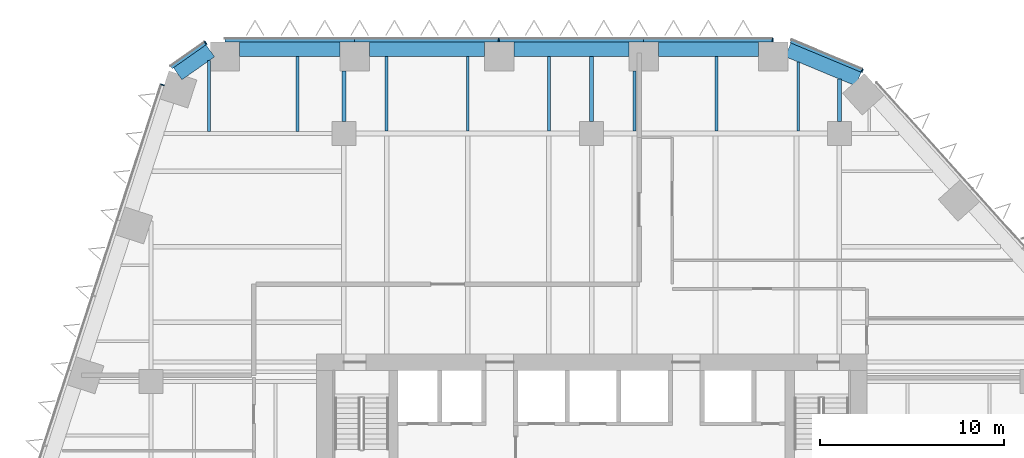
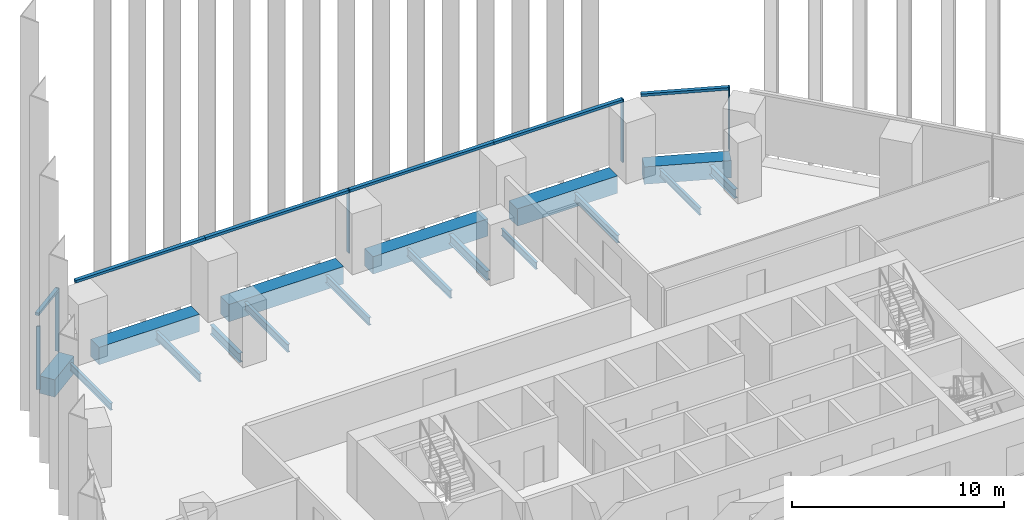
# One storey, part 12 of 24: 17 beams, 11 members, 4 elements without a shape of their own.
"""IFC4 building model written with IfcOpenShell, lengths in metres."""

from ifc_helpers import new_model, si_unit, direction, frame, origin, origin_2d, place, context, subcontext, project, spatial, rectangle, i_section, extrude, material, layer, layer_set, material_profile, profile_set, type_object, element, aggregate, save


model = new_model("IFC4")

# Units and contexts
model_context = context("Model", 3, precision=1e-05, world=origin(), true_north=direction((0.0, 1.0)))
body_context = subcontext(model_context, "Body", "Model", "MODEL_VIEW")
ifc_project = project(units=[si_unit("LENGTHUNIT", "METRE"), si_unit("AREAUNIT", "SQUARE_METRE"), si_unit("VOLUMEUNIT", "CUBIC_METRE"), si_unit("PLANEANGLEUNIT", "RADIAN"), si_unit("MASSUNIT", "GRAM", prefix="KILO")], contexts=[model_context])

# Site, building, storey
site_placement = place(None, origin())
site = spatial("IfcSite", under=ifc_project, at=site_placement, CompositionType="ELEMENT")
building_placement = place(site_placement, origin())
building = spatial("IfcBuilding", under=site, at=building_placement, Name="Isthmus Gate Tower", CompositionType="ELEMENT")
storey_placement = place(building_placement, frame((0.0, 0.0, 80.64990234375)))
storey = spatial("IfcBuildingStorey", under=building, at=storey_placement, Name="L18", CompositionType="ELEMENT", Elevation=80.64990234375)

# Curtain wall, members
ifc_material_1 = material(Name="Aluminium, pale champagne anodised", Category="aluminium")
ifc_layer = layer(ifc_material_1, 0.199951171875)
ifc_layer_set = layer_set([ifc_layer], Name="CW-1 UNITISED CURTAIN WALL 200 DEEP")
curtain_wall_type = type_object("IfcCurtainWallType", Name="CW-1 UNITISED CURTAIN WALL 200 DEEP", PredefinedType="NOTDEFINED", material=ifc_layer_set)
curtain_wall_1_placement = place(storey_placement, origin())
curtain_wall_1 = element("IfcCurtainWall", 1, at=curtain_wall_1_placement, inside=storey, type_object=curtain_wall_type, Name="CW-1 N L18", PredefinedType="NOTDEFINED")
ifc_material_2 = material(Name="Aluminium, pale champagne anodised", Category="aluminium")
ifc_material_profile_1 = material_profile(ifc_material_2, rectangle(XDim=0.06005859375, YDim=0.199951171875, at=origin_2d()), Name="60x200")
ifc_profile_set_1 = profile_set([ifc_material_profile_1], Name="Aluminium, pale champagne anodised")
member_type_1 = type_object("IfcMemberType", Name="CW-1 MULLION 60 X 200", PredefinedType="MULLION", material=ifc_profile_set_1)
member_1_placement = place(storey_placement, frame((9.871826171875, 32.10009765625, 0.0), z_axis=(0.0, 0.0, 1.0), x_axis=(-1.0, 0.0, 0.0)))
member_1 = element("IfcMember", 2, at=member_1_placement, type_object=member_type_1, Name="CW-1 mullion", PredefinedType="MULLION", context=body_context, shape_type="SweptSolid", body=[
    extrude(rectangle(XDim=0.06005859375, YDim=0.199951171875, at=origin_2d()), origin(), (0.0, 0.0, 1.0), 3.650146484375),
])
member_2_placement = place(storey_placement, frame((-5.067138671875, 32.10009765625, 0.0), z_axis=(0.0, 0.0, 1.0), x_axis=(-1.0, 0.0, 0.0)))
member_2 = element("IfcMember", 3, at=member_2_placement, type_object=member_type_1, Name="CW-1 mullion", PredefinedType="MULLION", context=body_context, shape_type="SweptSolid", body=[
    extrude(rectangle(XDim=0.06005859375, YDim=0.199951171875, at=origin_2d()), origin(), (0.0, 0.0, 1.0), 3.650146484375),
])

# Curtain wall, member
curtain_wall_2_placement = place(storey_placement, origin())
curtain_wall_2 = element("IfcCurtainWall", 4, at=curtain_wall_2_placement, inside=storey, type_object=curtain_wall_type, Name="CW-1 N-NW L18", PredefinedType="NOTDEFINED")
member_3_placement = place(storey_placement, frame((-21.031005859375, 31.943115234375, 0.0), z_axis=(0.0, 0.0, 1.0), x_axis=(-0.81785959165, -0.57541783805, 0.0)))
member_3 = element("IfcMember", 5, at=member_3_placement, type_object=member_type_1, Name="CW-1 mullion", PredefinedType="MULLION", context=body_context, shape_type="SweptSolid", body=[
    extrude(rectangle(XDim=0.06005859375, YDim=0.199951171875, at=origin_2d()), origin(), (0.0, 0.0, 1.0), 3.650146484375),
])

curtain_wall_3_placement = place(storey_placement, origin())
curtain_wall_3 = element("IfcCurtainWall", 6, at=curtain_wall_3_placement, inside=storey, type_object=curtain_wall_type, Name="CW-1 NW L18", PredefinedType="NOTDEFINED")
member_4_placement = place(storey_placement, frame((-23.380615234375, 29.656494140625, 0.0), z_axis=(0.0, 0.0, 1.0), x_axis=(-0.309016994375, -0.951056516295, 0.0)))
member_4 = element("IfcMember", 7, at=member_4_placement, type_object=member_type_1, Name="CW-1 mullion", PredefinedType="MULLION", context=body_context, shape_type="SweptSolid", body=[
    extrude(rectangle(XDim=0.06005859375, YDim=0.199951171875, at=origin_2d()), origin(), (0.0, 0.0, 1.0), 3.650146484375),
])
aggregate(curtain_wall_3, [member_4])

curtain_wall_4_placement = place(storey_placement, origin())
curtain_wall_4 = element("IfcCurtainWall", 8, at=curtain_wall_4_placement, inside=storey, type_object=curtain_wall_type, Name="CW-1 NE-N L18", PredefinedType="NOTDEFINED")
member_5_placement = place(storey_placement, frame((14.744140625, 30.427490234375, 0.0), z_axis=(0.0, 0.0, 1.0), x_axis=(-0.923353128387, 0.383951820282, 0.0)))
member_5 = element("IfcMember", 9, at=member_5_placement, type_object=member_type_1, Name="CW-1 mullion", PredefinedType="MULLION", context=body_context, shape_type="SweptSolid", body=[
    extrude(rectangle(XDim=0.06005859375, YDim=0.199951171875, at=origin_2d()), origin(), (0.0, 0.0, 1.0), 3.650146484375),
])

# Member
ifc_material_3 = material(Name="Aluminium, pale champagne anodised", Category="aluminium")
ifc_material_profile_2 = material_profile(ifc_material_3, rectangle(XDim=0.199951171875, YDim=0.14990234375, at=origin_2d()), Name="200x150")
ifc_profile_set_2 = profile_set([ifc_material_profile_2], Name="Aluminium, pale champagne anodised")
member_type_2 = type_object("IfcMemberType", Name="CW-1 TRANSOM 200 X 150", PredefinedType="USERDEFINED", material=ifc_profile_set_2)
member_6_placement = place(storey_placement, frame((9.841796875, 32.10009765625, 3.5751953125), z_axis=(-1.0, 0.0, 0.0), x_axis=(0.0, -1.0, 0.0)))
member_6 = element("IfcMember", 10, at=member_6_placement, type_object=member_type_2, Name="CW-1 transom", ObjectType="TRANSOM", PredefinedType="USERDEFINED", context=body_context, shape_type="SweptSolid", body=[
    extrude(rectangle(XDim=0.199951171875, YDim=0.14990234375, at=origin_2d()), origin(), (0.0, 0.0, 1.0), 7.009521484375),
])

member_7_placement = place(storey_placement, frame((2.832275390625, 32.10009765625, 3.5751953125), z_axis=(-1.0, 0.0, 0.0), x_axis=(0.0, -1.0, 0.0)))
member_7 = element("IfcMember", 11, at=member_7_placement, type_object=member_type_2, Name="CW-1 transom", ObjectType="TRANSOM", PredefinedType="USERDEFINED", context=body_context, shape_type="SweptSolid", body=[
    extrude(rectangle(XDim=0.199951171875, YDim=0.14990234375, at=origin_2d()), origin(), (0.0, 0.0, 1.0), 7.869384765625),
])

member_8_placement = place(storey_placement, frame((-5.09716796875, 32.10009765625, 3.5751953125), z_axis=(-1.0, 0.0, 0.0), x_axis=(0.0, -1.0, 0.0)))
member_8 = element("IfcMember", 12, at=member_8_placement, type_object=member_type_2, Name="CW-1 transom", ObjectType="TRANSOM", PredefinedType="USERDEFINED", context=body_context, shape_type="SweptSolid", body=[
    extrude(rectangle(XDim=0.199951171875, YDim=0.14990234375, at=origin_2d()), origin(), (0.0, 0.0, 1.0), 7.8095703125),
])

member_9_placement = place(storey_placement, frame((-12.90673828125, 32.10009765625, 3.5751953125), z_axis=(-1.0, 0.0, 0.0), x_axis=(0.0, -1.0, 0.0)))
member_9 = element("IfcMember", 13, at=member_9_placement, type_object=member_type_2, Name="CW-1 transom", ObjectType="TRANSOM", PredefinedType="USERDEFINED", context=body_context, shape_type="SweptSolid", body=[
    extrude(rectangle(XDim=0.199951171875, YDim=0.14990234375, at=origin_2d()), origin(), (0.0, 0.0, 1.0), 7.069580078125),
])

aggregate(curtain_wall_1, [member_1, member_6, member_7, member_2, member_8, member_9])

member_10_placement = place(storey_placement, frame((-21.055419921875, 31.92578125, 3.5751953125), z_axis=(-0.817868595604, -0.575405040233, 0.0), x_axis=(0.575405040233, -0.817868595604, 0.0)))
member_10 = element("IfcMember", 14, at=member_10_placement, type_object=member_type_2, Name="CW-1 transom", ObjectType="TRANSOM", PredefinedType="USERDEFINED", context=body_context, shape_type="SweptSolid", body=[
    extrude(rectangle(XDim=0.199951171875, YDim=0.14990234375, at=origin_2d()), origin(), (0.0, 0.0, 1.0), 2.258544921875),
])

aggregate(curtain_wall_2, [member_3, member_10])

member_11_placement = place(storey_placement, frame((14.716552734375, 30.43896484375, 3.5751953125), z_axis=(-0.923358236369, 0.383939536033, 0.0), x_axis=(-0.383939536033, -0.923358236369, 0.0)))
member_11 = element("IfcMember", 15, at=member_11_placement, type_object=member_type_2, Name="CW-1 transom", ObjectType="TRANSOM", PredefinedType="USERDEFINED", context=body_context, shape_type="SweptSolid", body=[
    extrude(rectangle(XDim=0.199951171875, YDim=0.14990234375, at=origin_2d()), origin(), (0.0, 0.0, 1.0), 4.181640625),
])

aggregate(curtain_wall_4, [member_5, member_11])

# Beams
ifc_material_4 = material(Name="Concrete f'c 70 MPa", Category="concrete")
ifc_material_profile_3 = material_profile(ifc_material_4, rectangle(XDim=0.800048828125, YDim=1.0, at=origin_2d()), Name="RC 800X1000")
ifc_profile_set_3 = profile_set([ifc_material_profile_3], Name="Concrete f'c 70 MPa")
beam_type_1 = type_object("IfcBeamType", Name="RC SPANDREL 800 X 1000", PredefinedType="SPANDREL", material=ifc_profile_set_3)
beam_1_placement = place(storey_placement, frame((10.701904296875, 31.56689453125, -0.5), z_axis=(0.923334166719, -0.383997417399, 0.0), x_axis=(0.383997417399, 0.923334166719, 0.0)))
element("IfcBeam", 16, at=beam_1_placement, inside=storey, type_object=beam_type_1, Name="str-spandrel-L18-00", PredefinedType="SPANDREL", context=body_context, shape_type="SweptSolid", body=[
    extrude(rectangle(XDim=0.800048828125, YDim=1.0, at=origin_2d()), origin(), (0.0, 0.0, 1.0), 4.15234375),
])
beam_2_placement = place(storey_placement, frame((-22.553466796875, 30.260498046875, -0.5), z_axis=(0.817857331203, 0.575421050882, 0.0), x_axis=(-0.575421050882, 0.817857331203, 0.0)))
element("IfcBeam", 17, at=beam_2_placement, inside=storey, type_object=beam_type_1, Name="str-spandrel-L18-22", PredefinedType="SPANDREL", context=body_context, shape_type="SweptSolid", body=[
    extrude(rectangle(XDim=0.800048828125, YDim=1.0, at=origin_2d()), origin(), (0.0, 0.0, 1.0), 2.173095703125),
])
beam_3_placement = place(storey_placement, frame((-19.17626953125, 31.60009765625, -0.5), z_axis=(1.0, 0.0, 0.0), x_axis=(0.0, 1.0, 0.0)))
element("IfcBeam", 18, at=beam_3_placement, inside=storey, type_object=beam_type_1, Name="str-spandrel-L18-23", PredefinedType="SPANDREL", context=body_context, shape_type="SweptSolid", body=[
    extrude(rectangle(XDim=0.800048828125, YDim=1.0, at=origin_2d()), origin(), (0.0, 0.0, 1.0), 5.469482421875),
])
for number, where, z_axis, x_axis, name in (
    (19, (-12.106689453125, 31.60009765625, -0.5), (1.0, 0.0, 0.0), (0.0, 1.0, 0.0), "str-spandrel-L18-24"),
    (20, (-4.2373046875, 31.60009765625, -0.5), (1.0, 0.0, 0.0), (0.0, 1.0, 0.0), "str-spandrel-L18-25"),
):
    element("IfcBeam", number, at=place(storey_placement, frame(where, z_axis=z_axis, x_axis=x_axis)), inside=storey, type_object=beam_type_1, Name=name, PredefinedType="SPANDREL", context=body_context, shape_type="SweptSolid", body=[
        extrude(rectangle(XDim=0.800048828125, YDim=1.0, at=origin_2d()), origin(), (0.0, 0.0, 1.0), 6.26953125),
    ])
beam_4_placement = place(storey_placement, frame((3.63232421875, 31.60009765625, -0.5), z_axis=(1.0, 0.0, 0.0), x_axis=(0.0, 1.0, 0.0)))
element("IfcBeam", 21, at=beam_4_placement, inside=storey, type_object=beam_type_1, Name="str-spandrel-L18-26", PredefinedType="SPANDREL", context=body_context, shape_type="SweptSolid", body=[
    extrude(rectangle(XDim=0.800048828125, YDim=1.0, at=origin_2d()), origin(), (0.0, 0.0, 1.0), 5.469482421875),
])
ifc_material_5 = material(Name="Structural steel ASTM A992 Gr 50", Category="steel")
ifc_material_profile_4 = material_profile(ifc_material_5, i_section(OverallWidth=0.1396484375, OverallDepth=0.4033203125, WebThickness=0.00634765625, FlangeThickness=0.010986328125, at=origin_2d()), Name="W16X31")
ifc_profile_set_4 = profile_set([ifc_material_profile_4], Name="Structural steel ASTM A992 Gr 50")
beam_type_2 = type_object("IfcBeamType", Name="STEEL FLOOR BEAM W16X31", PredefinedType="JOIST", material=ifc_profile_set_4)
beam_5_placement = place(storey_placement, frame((-20.846435546875, 27.1142578125, -0.3515625), z_axis=(0.0, 1.0, 0.0), x_axis=(-1.0, 0.0, 0.0)))
element("IfcBeam", 22, at=beam_5_placement, inside=storey, type_object=beam_type_2, Name="str-beam-L18-09-00", PredefinedType="JOIST", context=body_context, shape_type="SweptSolid", body=[
    extrude(i_section(OverallWidth=0.1396484375, OverallDepth=0.4033203125, WebThickness=0.00634765625, FlangeThickness=0.010986328125, at=origin_2d()), origin(), (0.0, 0.0, 1.0), 3.858154296875),
])
beam_6_placement = place(storey_placement, frame((2.33740234375, 27.1318359375, -0.3515625), z_axis=(0.0, 1.0, 0.0), x_axis=(-1.0, 0.0, 0.0)))
element("IfcBeam", 23, at=beam_6_placement, inside=storey, type_object=beam_type_2, Name="str-beam-L18-20-00", PredefinedType="JOIST", context=body_context, shape_type="SweptSolid", body=[
    extrude(i_section(OverallWidth=0.1396484375, OverallDepth=0.4033203125, WebThickness=0.00634765625, FlangeThickness=0.010986328125, at=origin_2d()), origin(), (0.0, 0.0, 1.0), 3.26806640625),
])
beam_7_placement = place(storey_placement, frame((11.267578125, 27.1318359375, -0.3515625), z_axis=(0.0, 1.0, 0.0), x_axis=(-1.0, 0.0, 0.0)))
element("IfcBeam", 24, at=beam_7_placement, inside=storey, type_object=beam_type_2, Name="str-beam-L18-20-02", PredefinedType="JOIST", context=body_context, shape_type="SweptSolid", body=[
    extrude(i_section(OverallWidth=0.1396484375, OverallDepth=0.4033203125, WebThickness=0.00634765625, FlangeThickness=0.010986328125, at=origin_2d()), origin(), (0.0, 0.0, 1.0), 3.7666015625),
])
ifc_material_6 = material(Name="Structural steel ASTM A992 Gr 50", Category="steel")
ifc_material_profile_5 = material_profile(ifc_material_6, i_section(OverallWidth=0.15234375, OverallDepth=0.45068359375, WebThickness=0.0078125, FlangeThickness=0.010986328125, at=origin_2d()), Name="W18X35")
ifc_profile_set_5 = profile_set([ifc_material_profile_5], Name="Structural steel ASTM A992 Gr 50")
beam_type_3 = type_object("IfcBeamType", Name="STEEL FLOOR BEAM W18X35", PredefinedType="JOIST", material=ifc_profile_set_5)
beam_8_placement = place(storey_placement, frame((-16.0185546875, 27.1142578125, -0.375244140625), z_axis=(0.0, 1.0, 0.0), x_axis=(-1.0, 0.0, 0.0)))
element("IfcBeam", 25, at=beam_8_placement, inside=storey, type_object=beam_type_3, Name="str-beam-L18-09-01", PredefinedType="JOIST", context=body_context, shape_type="SweptSolid", body=[
    extrude(i_section(OverallWidth=0.15234375, OverallDepth=0.45068359375, WebThickness=0.0078125, FlangeThickness=0.010986328125, at=origin_2d()), origin(), (0.0, 0.0, 1.0), 4.085693359375),
])
for number, where, z_axis, x_axis, name in (
    (26, (-11.18017578125, 27.1318359375, -0.375244140625), (0.0, 1.0, 0.0), (-1.0, 0.0, 0.0), "str-beam-L18-15-00"),
    (27, (-6.75, 27.1318359375, -0.375244140625), (0.0, 1.0, 0.0), (-1.0, 0.0, 0.0), "str-beam-L18-15-01"),
    (28, (-2.31982421875, 27.1318359375, -0.375244140625), (0.0, 1.0, 0.0), (-1.0, 0.0, 0.0), "str-beam-L18-15-02"),
    (29, (6.802490234375, 27.1318359375, -0.375244140625), (0.0, 1.0, 0.0), (-1.0, 0.0, 0.0), "str-beam-L18-20-01"),
):
    element("IfcBeam", number, at=place(storey_placement, frame(where, z_axis=z_axis, x_axis=x_axis)), inside=storey, type_object=beam_type_3, Name=name, PredefinedType="JOIST", context=body_context, shape_type="SweptSolid", body=[
        extrude(i_section(OverallWidth=0.15234375, OverallDepth=0.45068359375, WebThickness=0.0078125, FlangeThickness=0.010986328125, at=origin_2d()), origin(), (0.0, 0.0, 1.0), 4.068115234375),
    ])
ifc_material_7 = material(Name="Structural steel ASTM A992 Gr 50", Category="steel")
ifc_material_profile_6 = material_profile(ifc_material_7, i_section(OverallWidth=0.20947265625, OverallDepth=0.533447265625, WebThickness=0.009521484375, FlangeThickness=0.015869140625, at=origin_2d()), Name="W21X62")
ifc_profile_set_6 = profile_set([ifc_material_profile_6], Name="Structural steel ASTM A992 Gr 50")
beam_type_4 = type_object("IfcBeamType", Name="STEEL GIRDER W21X62", PredefinedType="BEAM", material=ifc_profile_set_6)
beam_9_placement = place(storey_placement, frame((-13.5, 27.64990234375, -0.41650390625), z_axis=(0.0, 1.0, 0.0), x_axis=(-1.0, 0.0, 0.0)))
element("IfcBeam", 30, at=beam_9_placement, inside=storey, type_object=beam_type_4, Name="str-girder-L18-28", PredefinedType="BEAM", context=body_context, shape_type="SweptSolid", body=[
    extrude(i_section(OverallWidth=0.20947265625, OverallDepth=0.533447265625, WebThickness=0.009521484375, FlangeThickness=0.015869140625, at=origin_2d()), origin(), (0.0, 0.0, 1.0), 2.75),
])
beam_10_placement = place(storey_placement, frame((0.0, 27.64990234375, -0.41650390625), z_axis=(0.0, 1.0, 0.0), x_axis=(-1.0, 0.0, 0.0)))
element("IfcBeam", 31, at=beam_10_placement, inside=storey, type_object=beam_type_4, Name="str-girder-L18-31", PredefinedType="BEAM", context=body_context, shape_type="SweptSolid", body=[
    extrude(i_section(OverallWidth=0.20947265625, OverallDepth=0.533447265625, WebThickness=0.009521484375, FlangeThickness=0.015869140625, at=origin_2d()), origin(), (0.0, 0.0, 1.0), 3.550048828125),
])
beam_11_placement = place(storey_placement, frame((13.5, 27.64990234375, -0.41650390625), z_axis=(0.0, 1.0, 0.0), x_axis=(-1.0, 0.0, 0.0)))
element("IfcBeam", 32, at=beam_11_placement, inside=storey, type_object=beam_type_4, Name="str-girder-L18-35", PredefinedType="BEAM", context=body_context, shape_type="SweptSolid", body=[
    extrude(i_section(OverallWidth=0.20947265625, OverallDepth=0.533447265625, WebThickness=0.009521484375, FlangeThickness=0.015869140625, at=origin_2d()), origin(), (0.0, 0.0, 1.0), 2.320068359375),
])

save(model, "model.ifc")
